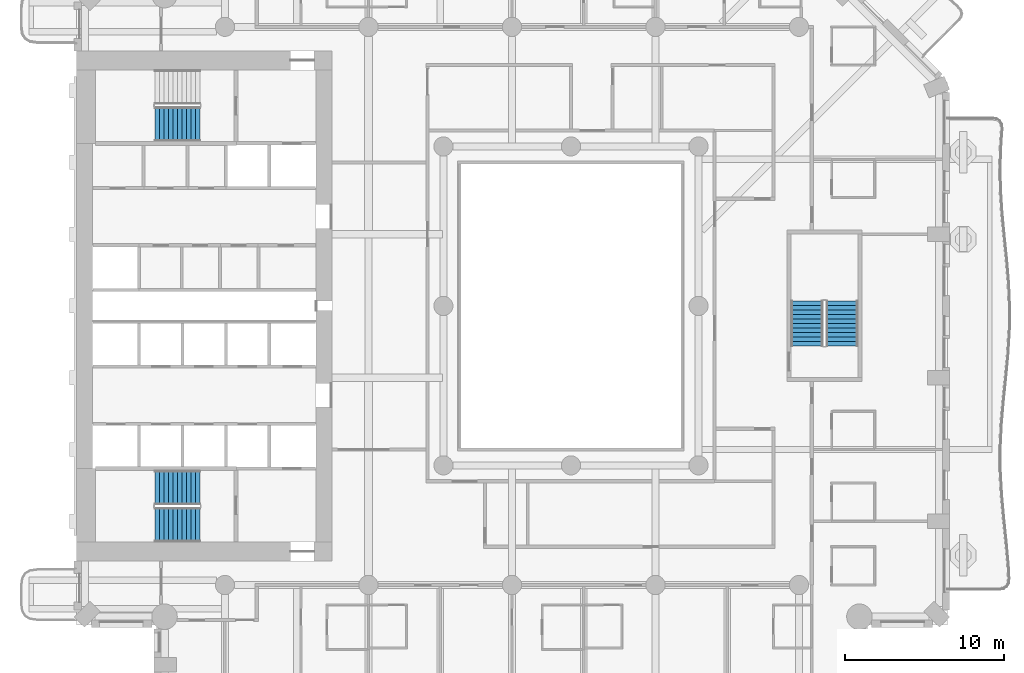
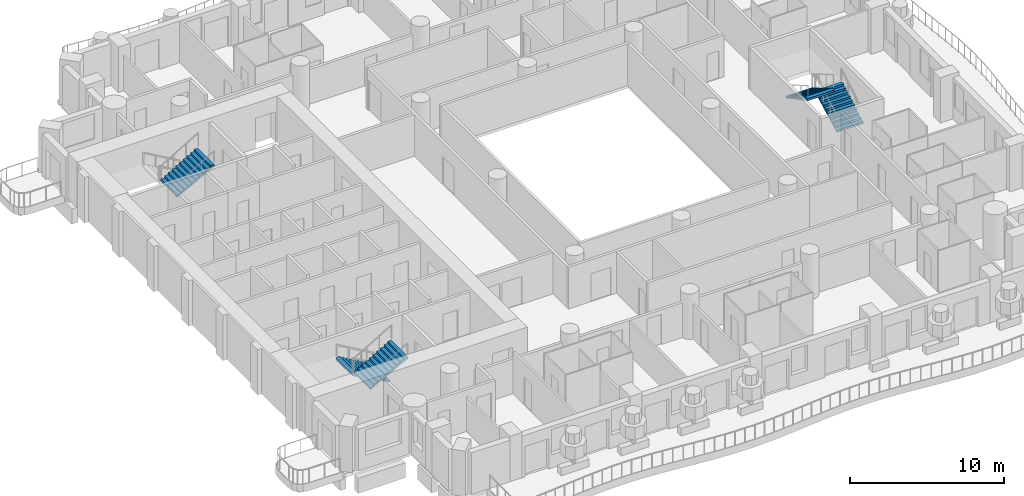
# One storey, part 11 of 20: 5 stair flights, 3 elements without a shape of their own.
"""IFC4 building model written with IfcOpenShell, lengths in metres."""

from ifc_helpers import new_model, si_unit, direction, frame, origin, place, context, subcontext, project, spatial, triangles, material, type_object, element, aggregate, save


model = new_model("IFC4")

# Units and contexts
model_context = context("Model", 3, precision=1e-05, world=origin(), true_north=direction((0.0, 1.0)))
body_context = subcontext(model_context, "Body", "Model", "MODEL_VIEW")
ifc_project = project(units=[si_unit("LENGTHUNIT", "METRE"), si_unit("AREAUNIT", "SQUARE_METRE"), si_unit("VOLUMEUNIT", "CUBIC_METRE"), si_unit("PLANEANGLEUNIT", "RADIAN"), si_unit("MASSUNIT", "GRAM", prefix="KILO")], contexts=[model_context])

# Site, building, storey
site_placement = place(None, origin())
site = spatial("IfcSite", under=ifc_project, at=site_placement, CompositionType="ELEMENT")
building_placement = place(site_placement, origin())
building = spatial("IfcBuilding", under=site, at=building_placement, Name="Cypress Arch Tower", CompositionType="ELEMENT")
storey_placement = place(building_placement, frame((0.0, 0.0, 77.10009765625)))
storey = spatial("IfcBuildingStorey", under=building, at=storey_placement, Name="L13", CompositionType="ELEMENT", Elevation=77.10009765625)

# Stair, stair flights
ifc_material_1 = material(Name="Concrete C40/50", Category="concrete")
stair_type_1 = type_object("IfcStairType", Name="Exit stair ES1636-200", PredefinedType="HALF_TURN_STAIR", material=ifc_material_1)
stair_1_placement = place(storey_placement, origin())
stair_1 = element("IfcStair", 1, at=stair_1_placement, inside=storey, type_object=stair_type_1, Name="L13 Exit stair C", PredefinedType="HALF_TURN_STAIR")
ifc_material_2 = material(Name="Concrete C40/50", Category="concrete")
stair_flight_type_1 = type_object("IfcStairFlightType", Name="Exit stair flight ES1636-200", PredefinedType="STRAIGHT", material=ifc_material_2)
stair_flight_1_placement = place(storey_placement, frame((18.0, -2.5, 0.0), z_axis=(0.0, 0.0, 1.0), x_axis=(0.0, 1.0, 0.0)))
stair_flight_1 = element("IfcStairFlight", 2, at=stair_flight_1_placement, type_object=stair_flight_type_1, Name="C flight 1", NumberOfRisers=11, NumberOfTreads=10, PredefinedType="STRAIGHT", RiserHeight=0.163636364, TreadLength=0.28, context=body_context, shape_type="Tessellation", body=[
    triangles([(0.0, -1.0, 0.0), (0.00048828125, -1.0, 0.054443359375), (0.00048828125, -1.0, 0.109130859375), (0.0, -1.0, 0.16357421875), (0.280029296875, -1.0, 0.16357421875), (0.280029296875, -1.0, 0.327392578125), (0.56005859375, -1.0, 0.327392578125), (0.56005859375, -1.0, 0.490966796875), (0.840087890625, -1.0, 0.490966796875), (0.840087890625, -1.0, 0.654541015625), (1.1201171875, -1.0, 0.654541015625), (1.1201171875, -1.0, 0.818115234375), (1.39990234375, -1.0, 0.818115234375), (1.39990234375, -1.0, 0.98193359375), (1.679931640625, -1.0, 0.98193359375), (1.679931640625, -1.0, 1.1455078125), (1.9599609375, -1.0, 1.1455078125), (1.9599609375, -1.0, 1.30908203125), (2.239990234375, -1.0, 1.30908203125), (2.239990234375, -1.0, 1.47265625), (2.52001953125, -1.0, 1.47265625), (2.52001953125, -1.0, 1.636474609375), (2.800048828125, -1.0, 1.636474609375), (2.799560546875, -1.0, 1.57861328125), (2.799560546875, -1.0, 1.5205078125), (2.800048828125, -1.0, 1.462646484375), (2.800048828125, 1.0, 1.462646484375), (2.799560546875, 1.0, 1.5205078125), (2.799560546875, 1.0, 1.57861328125), (2.800048828125, 1.0, 1.636474609375), (2.52001953125, 1.0, 1.636474609375), (2.52001953125, 1.0, 1.47265625), (2.239990234375, 1.0, 1.47265625), (2.239990234375, 1.0, 1.30908203125), (1.9599609375, 1.0, 1.30908203125), (1.9599609375, 1.0, 1.1455078125), (1.679931640625, 1.0, 1.1455078125), (1.679931640625, 1.0, 0.98193359375), (1.39990234375, 1.0, 0.98193359375), (1.39990234375, 1.0, 0.818115234375), (1.1201171875, 1.0, 0.818115234375), (1.1201171875, 1.0, 0.654541015625), (0.840087890625, 1.0, 0.654541015625), (0.840087890625, 1.0, 0.490966796875), (0.56005859375, 1.0, 0.490966796875), (0.56005859375, 1.0, 0.327392578125), (0.280029296875, 1.0, 0.327392578125), (0.280029296875, 1.0, 0.16357421875), (0.0, 1.0, 0.16357421875), (0.00048828125, 1.0, 0.109130859375), (0.00048828125, 1.0, 0.054443359375), (0.0, 1.0, 0.0), (2.799560546875, 0.0, 1.5205078125), (2.800048828125, 0.0, 1.462646484375), (2.799560546875, 0.0, 1.57861328125), (2.800048828125, 0.0, 1.636474609375), (2.52001953125, 0.0, 1.636474609375), (2.52001953125, 0.0, 1.47265625), (2.239990234375, 0.0, 1.47265625), (2.239990234375, 0.0, 1.30908203125), (1.9599609375, 0.0, 1.30908203125), (1.9599609375, 0.0, 1.1455078125), (1.679931640625, 0.0, 1.1455078125), (1.679931640625, 0.0, 0.98193359375), (1.39990234375, 0.0, 0.98193359375), (1.39990234375, 0.0, 0.818115234375), (1.1201171875, 0.0, 0.818115234375), (1.1201171875, 0.0, 0.654541015625), (0.840087890625, 0.0, 0.654541015625), (0.840087890625, 0.0, 0.490966796875), (0.56005859375, 0.0, 0.490966796875), (0.56005859375, 0.0, 0.327392578125), (0.280029296875, 0.0, 0.327392578125), (0.280029296875, 0.0, 0.16357421875), (0.0, 0.0, 0.16357421875), (0.00048828125, 0.0, 0.109130859375), (0.00048828125, 0.0, 0.054443359375), (0.0, 0.0, 0.0)], [[26, 25, 22], [25, 24, 22], [24, 23, 22], [15, 14, 13], [7, 6, 5], [13, 12, 11], [21, 20, 19], [19, 18, 17], [17, 16, 15], [11, 10, 9], [9, 8, 7], [4, 3, 5], [3, 2, 5], [2, 1, 5], [26, 22, 21], [26, 21, 19], [26, 19, 17], [26, 17, 15], [26, 15, 13], [26, 13, 11], [26, 11, 9], [26, 9, 7], [26, 7, 5], [26, 5, 1], [27, 31, 28], [28, 31, 29], [29, 31, 30], [38, 40, 39], [46, 48, 47], [40, 42, 41], [32, 34, 33], [34, 36, 35], [36, 38, 37], [42, 44, 43], [44, 46, 45], [49, 48, 50], [50, 48, 51], [51, 48, 52], [27, 32, 31], [27, 34, 32], [27, 36, 34], [27, 38, 36], [27, 40, 38], [27, 42, 40], [27, 44, 42], [27, 46, 44], [27, 48, 46], [27, 52, 48], [54, 53, 25], [54, 25, 26], [27, 28, 53], [27, 53, 54], [53, 55, 24], [53, 24, 25], [28, 29, 55], [28, 55, 53], [55, 56, 23], [55, 23, 24], [29, 30, 56], [29, 56, 55], [56, 57, 22], [56, 22, 23], [30, 31, 57], [30, 57, 56], [57, 58, 21], [57, 21, 22], [31, 32, 58], [31, 58, 57], [58, 59, 20], [58, 20, 21], [32, 33, 59], [32, 59, 58], [59, 60, 19], [59, 19, 20], [33, 34, 60], [33, 60, 59], [60, 61, 18], [60, 18, 19], [34, 35, 61], [34, 61, 60], [61, 62, 17], [61, 17, 18], [35, 36, 62], [35, 62, 61], [62, 63, 16], [62, 16, 17], [36, 37, 63], [36, 63, 62], [63, 64, 15], [63, 15, 16], [37, 38, 64], [37, 64, 63], [64, 65, 14], [64, 14, 15], [38, 39, 65], [38, 65, 64], [65, 66, 13], [65, 13, 14], [39, 40, 66], [39, 66, 65], [66, 67, 12], [66, 12, 13], [40, 41, 67], [40, 67, 66], [67, 68, 11], [67, 11, 12], [41, 42, 68], [41, 68, 67], [68, 69, 10], [68, 10, 11], [42, 43, 69], [42, 69, 68], [69, 70, 9], [69, 9, 10], [43, 44, 70], [43, 70, 69], [70, 71, 8], [70, 8, 9], [44, 45, 71], [44, 71, 70], [71, 72, 7], [71, 7, 8], [45, 46, 72], [45, 72, 71], [72, 73, 6], [72, 6, 7], [46, 47, 73], [46, 73, 72], [73, 74, 5], [73, 5, 6], [47, 48, 74], [47, 74, 73], [74, 75, 4], [74, 4, 5], [48, 49, 75], [48, 75, 74], [75, 76, 3], [75, 3, 4], [49, 50, 76], [49, 76, 75], [76, 77, 2], [76, 2, 3], [50, 51, 77], [50, 77, 76], [77, 78, 1], [77, 1, 2], [51, 52, 78], [51, 78, 77], [78, 54, 26], [78, 26, 1], [52, 27, 54], [52, 54, 78]], closed=True),
])
stair_flight_2_placement = place(storey_placement, frame((15.800048828125, 0.300048828125, 1.7998046875), z_axis=(0.0, 0.0, 1.0), x_axis=(0.0, -1.0, 0.0)))
stair_flight_2 = element("IfcStairFlight", 3, at=stair_flight_2_placement, type_object=stair_flight_type_1, Name="C flight 2", NumberOfRisers=11, NumberOfTreads=10, PredefinedType="STRAIGHT", RiserHeight=0.163636364, TreadLength=0.28, context=body_context, shape_type="Tessellation", body=[
    triangles([(0.0, -1.0, 0.0), (0.00048828125, -1.0, 0.054443359375), (0.00048828125, -1.0, 0.109130859375), (0.0, -1.0, 0.16357421875), (0.280029296875, -1.0, 0.16357421875), (0.280029296875, -1.0, 0.327392578125), (0.56005859375, -1.0, 0.327392578125), (0.56005859375, -1.0, 0.490966796875), (0.840087890625, -1.0, 0.490966796875), (0.840087890625, -1.0, 0.654541015625), (1.1201171875, -1.0, 0.654541015625), (1.1201171875, -1.0, 0.818115234375), (1.39990234375, -1.0, 0.818115234375), (1.39990234375, -1.0, 0.98193359375), (1.679931640625, -1.0, 0.98193359375), (1.679931640625, -1.0, 1.1455078125), (1.9599609375, -1.0, 1.1455078125), (1.9599609375, -1.0, 1.30908203125), (2.239990234375, -1.0, 1.30908203125), (2.239990234375, -1.0, 1.47265625), (2.52001953125, -1.0, 1.47265625), (2.52001953125, -1.0, 1.636474609375), (2.800048828125, -1.0, 1.636474609375), (2.799560546875, -1.0, 1.57861328125), (2.799560546875, -1.0, 1.5205078125), (2.800048828125, -1.0, 1.462646484375), (2.800048828125, 1.0, 1.462646484375), (2.799560546875, 1.0, 1.5205078125), (2.799560546875, 1.0, 1.57861328125), (2.800048828125, 1.0, 1.636474609375), (2.52001953125, 1.0, 1.636474609375), (2.52001953125, 1.0, 1.47265625), (2.239990234375, 1.0, 1.47265625), (2.239990234375, 1.0, 1.30908203125), (1.9599609375, 1.0, 1.30908203125), (1.9599609375, 1.0, 1.1455078125), (1.679931640625, 1.0, 1.1455078125), (1.679931640625, 1.0, 0.98193359375), (1.39990234375, 1.0, 0.98193359375), (1.39990234375, 1.0, 0.818115234375), (1.1201171875, 1.0, 0.818115234375), (1.1201171875, 1.0, 0.654541015625), (0.840087890625, 1.0, 0.654541015625), (0.840087890625, 1.0, 0.490966796875), (0.56005859375, 1.0, 0.490966796875), (0.56005859375, 1.0, 0.327392578125), (0.280029296875, 1.0, 0.327392578125), (0.280029296875, 1.0, 0.16357421875), (0.0, 1.0, 0.16357421875), (0.00048828125, 1.0, 0.109130859375), (0.00048828125, 1.0, 0.054443359375), (0.0, 1.0, 0.0), (2.799560546875, 0.0, 1.5205078125), (2.800048828125, 0.0, 1.462646484375), (2.799560546875, 0.0, 1.57861328125), (2.800048828125, 0.0, 1.636474609375), (2.52001953125, 0.0, 1.636474609375), (2.52001953125, 0.0, 1.47265625), (2.239990234375, 0.0, 1.47265625), (2.239990234375, 0.0, 1.30908203125), (1.9599609375, 0.0, 1.30908203125), (1.9599609375, 0.0, 1.1455078125), (1.679931640625, 0.0, 1.1455078125), (1.679931640625, 0.0, 0.98193359375), (1.39990234375, 0.0, 0.98193359375), (1.39990234375, 0.0, 0.818115234375), (1.1201171875, 0.0, 0.818115234375), (1.1201171875, 0.0, 0.654541015625), (0.840087890625, 0.0, 0.654541015625), (0.840087890625, 0.0, 0.490966796875), (0.56005859375, 0.0, 0.490966796875), (0.56005859375, 0.0, 0.327392578125), (0.280029296875, 0.0, 0.327392578125), (0.280029296875, 0.0, 0.16357421875), (0.0, 0.0, 0.16357421875), (0.00048828125, 0.0, 0.109130859375), (0.00048828125, 0.0, 0.054443359375), (0.0, 0.0, 0.0)], [[26, 25, 22], [25, 24, 22], [24, 23, 22], [15, 14, 13], [7, 6, 5], [13, 12, 11], [21, 20, 19], [19, 18, 17], [17, 16, 15], [11, 10, 9], [9, 8, 7], [4, 3, 5], [3, 2, 5], [2, 1, 5], [26, 22, 21], [26, 21, 19], [26, 19, 17], [26, 17, 15], [26, 15, 13], [26, 13, 11], [26, 11, 9], [26, 9, 7], [26, 7, 5], [26, 5, 1], [27, 31, 28], [28, 31, 29], [29, 31, 30], [38, 40, 39], [46, 48, 47], [40, 42, 41], [32, 34, 33], [34, 36, 35], [36, 38, 37], [42, 44, 43], [44, 46, 45], [49, 48, 50], [50, 48, 51], [51, 48, 52], [27, 32, 31], [27, 34, 32], [27, 36, 34], [27, 38, 36], [27, 40, 38], [27, 42, 40], [27, 44, 42], [27, 46, 44], [27, 48, 46], [27, 52, 48], [54, 53, 25], [54, 25, 26], [27, 28, 53], [27, 53, 54], [53, 55, 24], [53, 24, 25], [28, 29, 55], [28, 55, 53], [55, 56, 23], [55, 23, 24], [29, 30, 56], [29, 56, 55], [56, 57, 22], [56, 22, 23], [30, 31, 57], [30, 57, 56], [57, 58, 21], [57, 21, 22], [31, 32, 58], [31, 58, 57], [58, 59, 20], [58, 20, 21], [32, 33, 59], [32, 59, 58], [59, 60, 19], [59, 19, 20], [33, 34, 60], [33, 60, 59], [60, 61, 18], [60, 18, 19], [34, 35, 61], [34, 61, 60], [61, 62, 17], [61, 17, 18], [35, 36, 62], [35, 62, 61], [62, 63, 16], [62, 16, 17], [36, 37, 63], [36, 63, 62], [63, 64, 15], [63, 15, 16], [37, 38, 64], [37, 64, 63], [64, 65, 14], [64, 14, 15], [38, 39, 65], [38, 65, 64], [65, 66, 13], [65, 13, 14], [39, 40, 66], [39, 66, 65], [66, 67, 12], [66, 12, 13], [40, 41, 67], [40, 67, 66], [67, 68, 11], [67, 11, 12], [41, 42, 68], [41, 68, 67], [68, 69, 10], [68, 10, 11], [42, 43, 69], [42, 69, 68], [69, 70, 9], [69, 9, 10], [43, 44, 70], [43, 70, 69], [70, 71, 8], [70, 8, 9], [44, 45, 71], [44, 71, 70], [71, 72, 7], [71, 7, 8], [45, 46, 72], [45, 72, 71], [72, 73, 6], [72, 6, 7], [46, 47, 73], [46, 73, 72], [73, 74, 5], [73, 5, 6], [47, 48, 74], [47, 74, 73], [74, 75, 4], [74, 4, 5], [48, 49, 75], [48, 75, 74], [75, 76, 3], [75, 3, 4], [49, 50, 76], [49, 76, 75], [76, 77, 2], [76, 2, 3], [50, 51, 77], [50, 77, 76], [77, 78, 1], [77, 1, 2], [51, 52, 78], [51, 78, 77], [78, 54, 26], [78, 26, 1], [52, 27, 54], [52, 54, 78]], closed=True),
])
aggregate(stair_1, [stair_flight_1, stair_flight_2])

ifc_material_3 = material(Name="Concrete C40/50", Category="concrete")
stair_type_2 = type_object("IfcStairType", Name="Exit stair ES1636-215", PredefinedType="HALF_TURN_STAIR", material=ifc_material_3)
stair_2_placement = place(storey_placement, origin())
stair_2 = element("IfcStair", 4, at=stair_2_placement, inside=storey, type_object=stair_type_2, Name="L13 Exit stair A", PredefinedType="HALF_TURN_STAIR")
ifc_material_4 = material(Name="Concrete C40/50", Category="concrete")
stair_flight_type_2 = type_object("IfcStairFlightType", Name="Exit stair flight ES1636-215", PredefinedType="STRAIGHT", material=ifc_material_4)
stair_flight_3_placement = place(storey_placement, frame((-22.27490234375, -11.39990234375, 0.0), z_axis=(0.0, 0.0, 1.0), x_axis=(-1.0, 0.0, 0.0)))
stair_flight_3 = element("IfcStairFlight", 5, at=stair_flight_3_placement, type_object=stair_flight_type_2, Name="A flight 1", NumberOfRisers=11, NumberOfTreads=10, PredefinedType="STRAIGHT", RiserHeight=0.163636364, TreadLength=0.28, context=body_context, shape_type="Tessellation", body=[
    triangles([(0.0, -1.074951171875, 0.0), (0.000244140625, -1.074951171875, 0.03271484375), (0.00048828125, -1.074951171875, 0.0654296875), (0.00048828125, -1.074951171875, 0.09814453125), (0.000244140625, -1.074951171875, 0.130859375), (0.0, -1.074951171875, 0.16357421875), (0.280029296875, -1.074951171875, 0.16357421875), (0.280029296875, -1.074951171875, 0.327392578125), (0.56005859375, -1.074951171875, 0.327392578125), (0.56005859375, -1.074951171875, 0.490966796875), (0.840087890625, -1.074951171875, 0.490966796875), (0.840087890625, -1.074951171875, 0.654541015625), (1.1201171875, -1.074951171875, 0.654541015625), (1.1201171875, -1.074951171875, 0.818115234375), (1.39990234375, -1.074951171875, 0.818115234375), (1.39990234375, -1.074951171875, 0.98193359375), (1.679931640625, -1.074951171875, 0.98193359375), (1.679931640625, -1.074951171875, 1.1455078125), (1.9599609375, -1.074951171875, 1.1455078125), (1.9599609375, -1.074951171875, 1.30908203125), (2.239990234375, -1.074951171875, 1.30908203125), (2.239990234375, -1.074951171875, 1.47265625), (2.52001953125, -1.074951171875, 1.47265625), (2.52001953125, -1.074951171875, 1.636474609375), (2.800048828125, -1.074951171875, 1.636474609375), (2.7998046875, -1.074951171875, 1.601806640625), (2.799560546875, -1.074951171875, 1.56689453125), (2.799560546875, -1.074951171875, 1.5322265625), (2.7998046875, -1.074951171875, 1.497314453125), (2.800048828125, -1.074951171875, 1.462646484375), (2.800048828125, 1.074951171875, 1.462646484375), (2.7998046875, 1.074951171875, 1.497314453125), (2.799560546875, 1.074951171875, 1.5322265625), (2.799560546875, 1.074951171875, 1.56689453125), (2.7998046875, 1.074951171875, 1.601806640625), (2.800048828125, 1.074951171875, 1.636474609375), (2.52001953125, 1.074951171875, 1.636474609375), (2.52001953125, 1.074951171875, 1.47265625), (2.239990234375, 1.074951171875, 1.47265625), (2.239990234375, 1.074951171875, 1.30908203125), (1.9599609375, 1.074951171875, 1.30908203125), (1.9599609375, 1.074951171875, 1.1455078125), (1.679931640625, 1.074951171875, 1.1455078125), (1.679931640625, 1.074951171875, 0.98193359375), (1.39990234375, 1.074951171875, 0.98193359375), (1.39990234375, 1.074951171875, 0.818115234375), (1.1201171875, 1.074951171875, 0.818115234375), (1.1201171875, 1.074951171875, 0.654541015625), (0.840087890625, 1.074951171875, 0.654541015625), (0.840087890625, 1.074951171875, 0.490966796875), (0.56005859375, 1.074951171875, 0.490966796875), (0.56005859375, 1.074951171875, 0.327392578125), (0.280029296875, 1.074951171875, 0.327392578125), (0.280029296875, 1.074951171875, 0.16357421875), (0.0, 1.074951171875, 0.16357421875), (0.000244140625, 1.074951171875, 0.130859375), (0.00048828125, 1.074951171875, 0.09814453125), (0.00048828125, 1.074951171875, 0.0654296875), (0.000244140625, 1.074951171875, 0.03271484375), (0.0, 1.074951171875, 0.0), (2.7998046875, 0.0, 1.497314453125), (2.800048828125, 0.0, 1.462646484375), (2.799560546875, 0.0, 1.5322265625), (2.799560546875, 0.0, 1.56689453125), (2.7998046875, 0.0, 1.601806640625), (2.800048828125, 0.0, 1.636474609375), (2.52001953125, 0.0, 1.636474609375), (2.52001953125, 0.0, 1.47265625), (2.239990234375, 0.0, 1.47265625), (2.239990234375, 0.0, 1.30908203125), (1.9599609375, 0.0, 1.30908203125), (1.9599609375, 0.0, 1.1455078125), (1.679931640625, 0.0, 1.1455078125), (1.679931640625, 0.0, 0.98193359375), (1.39990234375, 0.0, 0.98193359375), (1.39990234375, 0.0, 0.818115234375), (1.1201171875, 0.0, 0.818115234375), (1.1201171875, 0.0, 0.654541015625), (0.840087890625, 0.0, 0.654541015625), (0.840087890625, 0.0, 0.490966796875), (0.56005859375, 0.0, 0.490966796875), (0.56005859375, 0.0, 0.327392578125), (0.280029296875, 0.0, 0.327392578125), (0.280029296875, 0.0, 0.16357421875), (0.0, 0.0, 0.16357421875), (0.000244140625, 0.0, 0.130859375), (0.00048828125, 0.0, 0.09814453125), (0.00048828125, 0.0, 0.0654296875), (0.000244140625, 0.0, 0.03271484375), (0.0, 0.0, 0.0)], [[30, 29, 24], [29, 28, 24], [28, 27, 24], [27, 26, 24], [26, 25, 24], [17, 16, 15], [9, 8, 7], [15, 14, 13], [23, 22, 21], [21, 20, 19], [19, 18, 17], [13, 12, 11], [11, 10, 9], [6, 5, 7], [5, 4, 7], [4, 3, 7], [3, 2, 7], [2, 1, 7], [30, 24, 23], [30, 23, 21], [30, 21, 19], [30, 19, 17], [30, 17, 15], [30, 15, 13], [30, 13, 11], [30, 11, 9], [30, 9, 7], [30, 7, 1], [31, 37, 32], [32, 37, 33], [33, 37, 34], [34, 37, 35], [35, 37, 36], [44, 46, 45], [52, 54, 53], [46, 48, 47], [38, 40, 39], [40, 42, 41], [42, 44, 43], [48, 50, 49], [50, 52, 51], [55, 54, 56], [56, 54, 57], [57, 54, 58], [58, 54, 59], [59, 54, 60], [31, 38, 37], [31, 40, 38], [31, 42, 40], [31, 44, 42], [31, 46, 44], [31, 48, 46], [31, 50, 48], [31, 52, 50], [31, 54, 52], [31, 60, 54], [62, 61, 29], [62, 29, 30], [31, 32, 61], [31, 61, 62], [61, 63, 28], [61, 28, 29], [32, 33, 63], [32, 63, 61], [63, 64, 27], [63, 27, 28], [33, 34, 64], [33, 64, 63], [64, 65, 26], [64, 26, 27], [34, 35, 65], [34, 65, 64], [65, 66, 25], [65, 25, 26], [35, 36, 66], [35, 66, 65], [66, 67, 24], [66, 24, 25], [36, 37, 67], [36, 67, 66], [67, 68, 23], [67, 23, 24], [37, 38, 68], [37, 68, 67], [68, 69, 22], [68, 22, 23], [38, 39, 69], [38, 69, 68], [69, 70, 21], [69, 21, 22], [39, 40, 70], [39, 70, 69], [70, 71, 20], [70, 20, 21], [40, 41, 71], [40, 71, 70], [71, 72, 19], [71, 19, 20], [41, 42, 72], [41, 72, 71], [72, 73, 18], [72, 18, 19], [42, 43, 73], [42, 73, 72], [73, 74, 17], [73, 17, 18], [43, 44, 74], [43, 74, 73], [74, 75, 16], [74, 16, 17], [44, 45, 75], [44, 75, 74], [75, 76, 15], [75, 15, 16], [45, 46, 76], [45, 76, 75], [76, 77, 14], [76, 14, 15], [46, 47, 77], [46, 77, 76], [77, 78, 13], [77, 13, 14], [47, 48, 78], [47, 78, 77], [78, 79, 12], [78, 12, 13], [48, 49, 79], [48, 79, 78], [79, 80, 11], [79, 11, 12], [49, 50, 80], [49, 80, 79], [80, 81, 10], [80, 10, 11], [50, 51, 81], [50, 81, 80], [81, 82, 9], [81, 9, 10], [51, 52, 82], [51, 82, 81], [82, 83, 8], [82, 8, 9], [52, 53, 83], [52, 83, 82], [83, 84, 7], [83, 7, 8], [53, 54, 84], [53, 84, 83], [84, 85, 6], [84, 6, 7], [54, 55, 85], [54, 85, 84], [85, 86, 5], [85, 5, 6], [55, 56, 86], [55, 86, 85], [86, 87, 4], [86, 4, 5], [56, 57, 87], [56, 87, 86], [87, 88, 3], [87, 3, 4], [57, 58, 88], [57, 88, 87], [88, 89, 2], [88, 2, 3], [58, 59, 89], [58, 89, 88], [89, 90, 1], [89, 1, 2], [59, 60, 90], [59, 90, 89], [90, 62, 30], [90, 30, 1], [60, 31, 62], [60, 62, 90]], closed=True),
])
stair_flight_4_placement = place(storey_placement, frame((-25.074951171875, -13.72509765625, 1.7998046875), z_axis=(0.0, 0.0, 1.0), x_axis=(1.0, 0.0, 0.0)))
stair_flight_4 = element("IfcStairFlight", 6, at=stair_flight_4_placement, type_object=stair_flight_type_2, Name="A flight 2", NumberOfRisers=11, NumberOfTreads=10, PredefinedType="STRAIGHT", RiserHeight=0.163636364, TreadLength=0.28, context=body_context, shape_type="Tessellation", body=[
    triangles([(0.0, -1.074951171875, 0.0), (0.000244140625, -1.074951171875, 0.03271484375), (0.00048828125, -1.074951171875, 0.0654296875), (0.00048828125, -1.074951171875, 0.09814453125), (0.000244140625, -1.074951171875, 0.130859375), (0.0, -1.074951171875, 0.16357421875), (0.280029296875, -1.074951171875, 0.16357421875), (0.280029296875, -1.074951171875, 0.327392578125), (0.56005859375, -1.074951171875, 0.327392578125), (0.56005859375, -1.074951171875, 0.490966796875), (0.840087890625, -1.074951171875, 0.490966796875), (0.840087890625, -1.074951171875, 0.654541015625), (1.1201171875, -1.074951171875, 0.654541015625), (1.1201171875, -1.074951171875, 0.818115234375), (1.39990234375, -1.074951171875, 0.818115234375), (1.39990234375, -1.074951171875, 0.98193359375), (1.679931640625, -1.074951171875, 0.98193359375), (1.679931640625, -1.074951171875, 1.1455078125), (1.9599609375, -1.074951171875, 1.1455078125), (1.9599609375, -1.074951171875, 1.30908203125), (2.239990234375, -1.074951171875, 1.30908203125), (2.239990234375, -1.074951171875, 1.47265625), (2.52001953125, -1.074951171875, 1.47265625), (2.52001953125, -1.074951171875, 1.636474609375), (2.800048828125, -1.074951171875, 1.636474609375), (2.7998046875, -1.074951171875, 1.601806640625), (2.799560546875, -1.074951171875, 1.56689453125), (2.799560546875, -1.074951171875, 1.5322265625), (2.7998046875, -1.074951171875, 1.497314453125), (2.800048828125, -1.074951171875, 1.462646484375), (2.800048828125, 1.074951171875, 1.462646484375), (2.7998046875, 1.074951171875, 1.497314453125), (2.799560546875, 1.074951171875, 1.5322265625), (2.799560546875, 1.074951171875, 1.56689453125), (2.7998046875, 1.074951171875, 1.601806640625), (2.800048828125, 1.074951171875, 1.636474609375), (2.52001953125, 1.074951171875, 1.636474609375), (2.52001953125, 1.074951171875, 1.47265625), (2.239990234375, 1.074951171875, 1.47265625), (2.239990234375, 1.074951171875, 1.30908203125), (1.9599609375, 1.074951171875, 1.30908203125), (1.9599609375, 1.074951171875, 1.1455078125), (1.679931640625, 1.074951171875, 1.1455078125), (1.679931640625, 1.074951171875, 0.98193359375), (1.39990234375, 1.074951171875, 0.98193359375), (1.39990234375, 1.074951171875, 0.818115234375), (1.1201171875, 1.074951171875, 0.818115234375), (1.1201171875, 1.074951171875, 0.654541015625), (0.840087890625, 1.074951171875, 0.654541015625), (0.840087890625, 1.074951171875, 0.490966796875), (0.56005859375, 1.074951171875, 0.490966796875), (0.56005859375, 1.074951171875, 0.327392578125), (0.280029296875, 1.074951171875, 0.327392578125), (0.280029296875, 1.074951171875, 0.16357421875), (0.0, 1.074951171875, 0.16357421875), (0.000244140625, 1.074951171875, 0.130859375), (0.00048828125, 1.074951171875, 0.09814453125), (0.00048828125, 1.074951171875, 0.0654296875), (0.000244140625, 1.074951171875, 0.03271484375), (0.0, 1.074951171875, 0.0), (2.7998046875, 0.0, 1.497314453125), (2.800048828125, 0.0, 1.462646484375), (2.799560546875, 0.0, 1.5322265625), (2.799560546875, 0.0, 1.56689453125), (2.7998046875, 0.0, 1.601806640625), (2.800048828125, 0.0, 1.636474609375), (2.52001953125, 0.0, 1.636474609375), (2.52001953125, 0.0, 1.47265625), (2.239990234375, 0.0, 1.47265625), (2.239990234375, 0.0, 1.30908203125), (1.9599609375, 0.0, 1.30908203125), (1.9599609375, 0.0, 1.1455078125), (1.679931640625, 0.0, 1.1455078125), (1.679931640625, 0.0, 0.98193359375), (1.39990234375, 0.0, 0.98193359375), (1.39990234375, 0.0, 0.818115234375), (1.1201171875, 0.0, 0.818115234375), (1.1201171875, 0.0, 0.654541015625), (0.840087890625, 0.0, 0.654541015625), (0.840087890625, 0.0, 0.490966796875), (0.56005859375, 0.0, 0.490966796875), (0.56005859375, 0.0, 0.327392578125), (0.280029296875, 0.0, 0.327392578125), (0.280029296875, 0.0, 0.16357421875), (0.0, 0.0, 0.16357421875), (0.000244140625, 0.0, 0.130859375), (0.00048828125, 0.0, 0.09814453125), (0.00048828125, 0.0, 0.0654296875), (0.000244140625, 0.0, 0.03271484375), (0.0, 0.0, 0.0)], [[30, 29, 24], [29, 28, 24], [28, 27, 24], [27, 26, 24], [26, 25, 24], [17, 16, 15], [9, 8, 7], [15, 14, 13], [23, 22, 21], [21, 20, 19], [19, 18, 17], [13, 12, 11], [11, 10, 9], [6, 5, 7], [5, 4, 7], [4, 3, 7], [3, 2, 7], [2, 1, 7], [30, 24, 23], [30, 23, 21], [30, 21, 19], [30, 19, 17], [30, 17, 15], [30, 15, 13], [30, 13, 11], [30, 11, 9], [30, 9, 7], [30, 7, 1], [31, 37, 32], [32, 37, 33], [33, 37, 34], [34, 37, 35], [35, 37, 36], [44, 46, 45], [52, 54, 53], [46, 48, 47], [38, 40, 39], [40, 42, 41], [42, 44, 43], [48, 50, 49], [50, 52, 51], [55, 54, 56], [56, 54, 57], [57, 54, 58], [58, 54, 59], [59, 54, 60], [31, 38, 37], [31, 40, 38], [31, 42, 40], [31, 44, 42], [31, 46, 44], [31, 48, 46], [31, 50, 48], [31, 52, 50], [31, 54, 52], [31, 60, 54], [62, 61, 29], [62, 29, 30], [31, 32, 61], [31, 61, 62], [61, 63, 28], [61, 28, 29], [32, 33, 63], [32, 63, 61], [63, 64, 27], [63, 27, 28], [33, 34, 64], [33, 64, 63], [64, 65, 26], [64, 26, 27], [34, 35, 65], [34, 65, 64], [65, 66, 25], [65, 25, 26], [35, 36, 66], [35, 66, 65], [66, 67, 24], [66, 24, 25], [36, 37, 67], [36, 67, 66], [67, 68, 23], [67, 23, 24], [37, 38, 68], [37, 68, 67], [68, 69, 22], [68, 22, 23], [38, 39, 69], [38, 69, 68], [69, 70, 21], [69, 21, 22], [39, 40, 70], [39, 70, 69], [70, 71, 20], [70, 20, 21], [40, 41, 71], [40, 71, 70], [71, 72, 19], [71, 19, 20], [41, 42, 72], [41, 72, 71], [72, 73, 18], [72, 18, 19], [42, 43, 73], [42, 73, 72], [73, 74, 17], [73, 17, 18], [43, 44, 74], [43, 74, 73], [74, 75, 16], [74, 16, 17], [44, 45, 75], [44, 75, 74], [75, 76, 15], [75, 15, 16], [45, 46, 76], [45, 76, 75], [76, 77, 14], [76, 14, 15], [46, 47, 77], [46, 77, 76], [77, 78, 13], [77, 13, 14], [47, 48, 78], [47, 78, 77], [78, 79, 12], [78, 12, 13], [48, 49, 79], [48, 79, 78], [79, 80, 11], [79, 11, 12], [49, 50, 80], [49, 80, 79], [80, 81, 10], [80, 10, 11], [50, 51, 81], [50, 81, 80], [81, 82, 9], [81, 9, 10], [51, 52, 82], [51, 82, 81], [82, 83, 8], [82, 8, 9], [52, 53, 83], [52, 83, 82], [83, 84, 7], [83, 7, 8], [53, 54, 84], [53, 84, 83], [84, 85, 6], [84, 6, 7], [54, 55, 85], [54, 85, 84], [85, 86, 5], [85, 5, 6], [55, 56, 86], [55, 86, 85], [86, 87, 4], [86, 4, 5], [56, 57, 87], [56, 87, 86], [87, 88, 3], [87, 3, 4], [57, 58, 88], [57, 88, 87], [88, 89, 2], [88, 2, 3], [58, 59, 89], [58, 89, 88], [89, 90, 1], [89, 1, 2], [59, 60, 90], [59, 90, 89], [90, 62, 30], [90, 30, 1], [60, 31, 62], [60, 62, 90]], closed=True),
])
aggregate(stair_2, [stair_flight_3, stair_flight_4])

# Stair, stair flight
stair_3_placement = place(storey_placement, origin())
stair_3 = element("IfcStair", 7, at=stair_3_placement, inside=storey, type_object=stair_type_2, Name="L13 Exit stair B", PredefinedType="HALF_TURN_STAIR")
stair_flight_5_placement = place(storey_placement, frame((-25.074951171875, 11.39990234375, 1.7998046875), z_axis=(0.0, 0.0, 1.0), x_axis=(1.0, 0.0, 0.0)))
stair_flight_5 = element("IfcStairFlight", 8, at=stair_flight_5_placement, type_object=stair_flight_type_2, Name="B flight 2", NumberOfRisers=11, NumberOfTreads=10, PredefinedType="STRAIGHT", RiserHeight=0.163636364, TreadLength=0.28, context=body_context, shape_type="Tessellation", body=[
    triangles([(0.0, -1.074951171875, 0.0), (0.000244140625, -1.074951171875, 0.03271484375), (0.00048828125, -1.074951171875, 0.0654296875), (0.00048828125, -1.074951171875, 0.09814453125), (0.000244140625, -1.074951171875, 0.130859375), (0.0, -1.074951171875, 0.16357421875), (0.280029296875, -1.074951171875, 0.16357421875), (0.280029296875, -1.074951171875, 0.327392578125), (0.56005859375, -1.074951171875, 0.327392578125), (0.56005859375, -1.074951171875, 0.490966796875), (0.840087890625, -1.074951171875, 0.490966796875), (0.840087890625, -1.074951171875, 0.654541015625), (1.1201171875, -1.074951171875, 0.654541015625), (1.1201171875, -1.074951171875, 0.818115234375), (1.39990234375, -1.074951171875, 0.818115234375), (1.39990234375, -1.074951171875, 0.98193359375), (1.679931640625, -1.074951171875, 0.98193359375), (1.679931640625, -1.074951171875, 1.1455078125), (1.9599609375, -1.074951171875, 1.1455078125), (1.9599609375, -1.074951171875, 1.30908203125), (2.239990234375, -1.074951171875, 1.30908203125), (2.239990234375, -1.074951171875, 1.47265625), (2.52001953125, -1.074951171875, 1.47265625), (2.52001953125, -1.074951171875, 1.636474609375), (2.800048828125, -1.074951171875, 1.636474609375), (2.7998046875, -1.074951171875, 1.601806640625), (2.799560546875, -1.074951171875, 1.56689453125), (2.799560546875, -1.074951171875, 1.5322265625), (2.7998046875, -1.074951171875, 1.497314453125), (2.800048828125, -1.074951171875, 1.462646484375), (2.800048828125, 1.074951171875, 1.462646484375), (2.7998046875, 1.074951171875, 1.497314453125), (2.799560546875, 1.074951171875, 1.5322265625), (2.799560546875, 1.074951171875, 1.56689453125), (2.7998046875, 1.074951171875, 1.601806640625), (2.800048828125, 1.074951171875, 1.636474609375), (2.52001953125, 1.074951171875, 1.636474609375), (2.52001953125, 1.074951171875, 1.47265625), (2.239990234375, 1.074951171875, 1.47265625), (2.239990234375, 1.074951171875, 1.30908203125), (1.9599609375, 1.074951171875, 1.30908203125), (1.9599609375, 1.074951171875, 1.1455078125), (1.679931640625, 1.074951171875, 1.1455078125), (1.679931640625, 1.074951171875, 0.98193359375), (1.39990234375, 1.074951171875, 0.98193359375), (1.39990234375, 1.074951171875, 0.818115234375), (1.1201171875, 1.074951171875, 0.818115234375), (1.1201171875, 1.074951171875, 0.654541015625), (0.840087890625, 1.074951171875, 0.654541015625), (0.840087890625, 1.074951171875, 0.490966796875), (0.56005859375, 1.074951171875, 0.490966796875), (0.56005859375, 1.074951171875, 0.327392578125), (0.280029296875, 1.074951171875, 0.327392578125), (0.280029296875, 1.074951171875, 0.16357421875), (0.0, 1.074951171875, 0.16357421875), (0.000244140625, 1.074951171875, 0.130859375), (0.00048828125, 1.074951171875, 0.09814453125), (0.00048828125, 1.074951171875, 0.0654296875), (0.000244140625, 1.074951171875, 0.03271484375), (0.0, 1.074951171875, 0.0), (2.7998046875, 0.0, 1.497314453125), (2.800048828125, 0.0, 1.462646484375), (2.799560546875, 0.0, 1.5322265625), (2.799560546875, 0.0, 1.56689453125), (2.7998046875, 0.0, 1.601806640625), (2.800048828125, 0.0, 1.636474609375), (2.52001953125, 0.0, 1.636474609375), (2.52001953125, 0.0, 1.47265625), (2.239990234375, 0.0, 1.47265625), (2.239990234375, 0.0, 1.30908203125), (1.9599609375, 0.0, 1.30908203125), (1.9599609375, 0.0, 1.1455078125), (1.679931640625, 0.0, 1.1455078125), (1.679931640625, 0.0, 0.98193359375), (1.39990234375, 0.0, 0.98193359375), (1.39990234375, 0.0, 0.818115234375), (1.1201171875, 0.0, 0.818115234375), (1.1201171875, 0.0, 0.654541015625), (0.840087890625, 0.0, 0.654541015625), (0.840087890625, 0.0, 0.490966796875), (0.56005859375, 0.0, 0.490966796875), (0.56005859375, 0.0, 0.327392578125), (0.280029296875, 0.0, 0.327392578125), (0.280029296875, 0.0, 0.16357421875), (0.0, 0.0, 0.16357421875), (0.000244140625, 0.0, 0.130859375), (0.00048828125, 0.0, 0.09814453125), (0.00048828125, 0.0, 0.0654296875), (0.000244140625, 0.0, 0.03271484375), (0.0, 0.0, 0.0)], [[30, 29, 24], [29, 28, 24], [28, 27, 24], [27, 26, 24], [26, 25, 24], [17, 16, 15], [9, 8, 7], [15, 14, 13], [23, 22, 21], [21, 20, 19], [19, 18, 17], [13, 12, 11], [11, 10, 9], [6, 5, 7], [5, 4, 7], [4, 3, 7], [3, 2, 7], [2, 1, 7], [30, 24, 23], [30, 23, 21], [30, 21, 19], [30, 19, 17], [30, 17, 15], [30, 15, 13], [30, 13, 11], [30, 11, 9], [30, 9, 7], [30, 7, 1], [31, 37, 32], [32, 37, 33], [33, 37, 34], [34, 37, 35], [35, 37, 36], [44, 46, 45], [52, 54, 53], [46, 48, 47], [38, 40, 39], [40, 42, 41], [42, 44, 43], [48, 50, 49], [50, 52, 51], [55, 54, 56], [56, 54, 57], [57, 54, 58], [58, 54, 59], [59, 54, 60], [31, 38, 37], [31, 40, 38], [31, 42, 40], [31, 44, 42], [31, 46, 44], [31, 48, 46], [31, 50, 48], [31, 52, 50], [31, 54, 52], [31, 60, 54], [62, 61, 29], [62, 29, 30], [31, 32, 61], [31, 61, 62], [61, 63, 28], [61, 28, 29], [32, 33, 63], [32, 63, 61], [63, 64, 27], [63, 27, 28], [33, 34, 64], [33, 64, 63], [64, 65, 26], [64, 26, 27], [34, 35, 65], [34, 65, 64], [65, 66, 25], [65, 25, 26], [35, 36, 66], [35, 66, 65], [66, 67, 24], [66, 24, 25], [36, 37, 67], [36, 67, 66], [67, 68, 23], [67, 23, 24], [37, 38, 68], [37, 68, 67], [68, 69, 22], [68, 22, 23], [38, 39, 69], [38, 69, 68], [69, 70, 21], [69, 21, 22], [39, 40, 70], [39, 70, 69], [70, 71, 20], [70, 20, 21], [40, 41, 71], [40, 71, 70], [71, 72, 19], [71, 19, 20], [41, 42, 72], [41, 72, 71], [72, 73, 18], [72, 18, 19], [42, 43, 73], [42, 73, 72], [73, 74, 17], [73, 17, 18], [43, 44, 74], [43, 74, 73], [74, 75, 16], [74, 16, 17], [44, 45, 75], [44, 75, 74], [75, 76, 15], [75, 15, 16], [45, 46, 76], [45, 76, 75], [76, 77, 14], [76, 14, 15], [46, 47, 77], [46, 77, 76], [77, 78, 13], [77, 13, 14], [47, 48, 78], [47, 78, 77], [78, 79, 12], [78, 12, 13], [48, 49, 79], [48, 79, 78], [79, 80, 11], [79, 11, 12], [49, 50, 80], [49, 80, 79], [80, 81, 10], [80, 10, 11], [50, 51, 81], [50, 81, 80], [81, 82, 9], [81, 9, 10], [51, 52, 82], [51, 82, 81], [82, 83, 8], [82, 8, 9], [52, 53, 83], [52, 83, 82], [83, 84, 7], [83, 7, 8], [53, 54, 84], [53, 84, 83], [84, 85, 6], [84, 6, 7], [54, 55, 85], [54, 85, 84], [85, 86, 5], [85, 5, 6], [55, 56, 86], [55, 86, 85], [86, 87, 4], [86, 4, 5], [56, 57, 87], [56, 87, 86], [87, 88, 3], [87, 3, 4], [57, 58, 88], [57, 88, 87], [88, 89, 2], [88, 2, 3], [58, 59, 89], [58, 89, 88], [89, 90, 1], [89, 1, 2], [59, 60, 90], [59, 90, 89], [90, 62, 30], [90, 30, 1], [60, 31, 62], [60, 62, 90]], closed=True),
])
aggregate(stair_3, [stair_flight_5])

save(model, "model.ifc")
